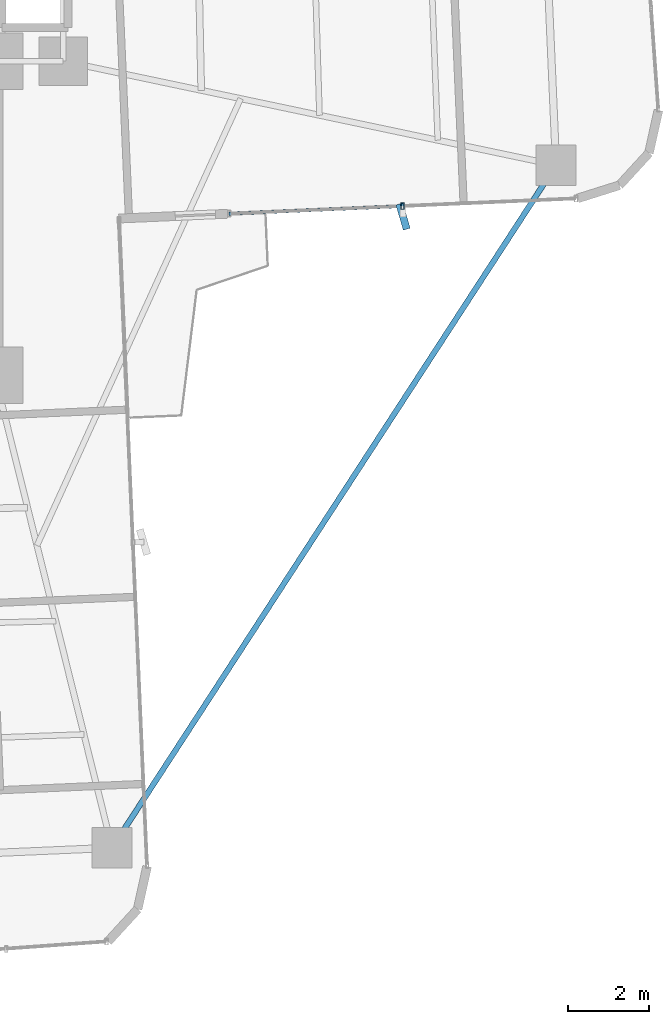
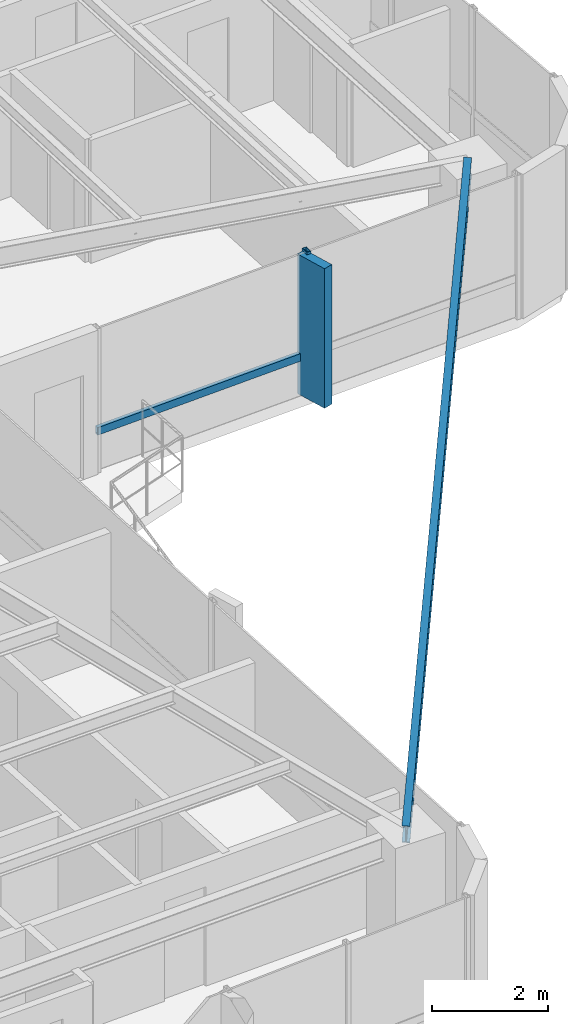
# One storey, part 14 of 27: 3 members, 1 beam, 1 element without a shape of its own.
"""IFC4 building model written with IfcOpenShell, lengths in metres."""

from ifc_helpers import new_model, si_unit, direction, frame, origin, origin_2d, place, context, subcontext, project, spatial, rectangle, hollow_rectangle, i_section, extrude, source, transform, mapped, material, material_profile, profile_set, type_object, element, aggregate, save


model = new_model("IFC4")

# Units and contexts
model_context = context("Model", 3, precision=1e-05, world=origin(), true_north=direction((0.0, 1.0)))
body_context = subcontext(model_context, "Body", "Model", "MODEL_VIEW")
ifc_project = project(units=[si_unit("LENGTHUNIT", "METRE"), si_unit("AREAUNIT", "SQUARE_METRE"), si_unit("VOLUMEUNIT", "CUBIC_METRE"), si_unit("PLANEANGLEUNIT", "RADIAN"), si_unit("MASSUNIT", "GRAM", prefix="KILO")], contexts=[model_context])

# Site, building, storey
site_placement = place(None, origin())
site = spatial("IfcSite", under=ifc_project, at=site_placement, CompositionType="ELEMENT")
building_placement = place(site_placement, origin())
building = spatial("IfcBuilding", under=site, at=building_placement, Name="Sahyath Konkavel Grand Hotel", CompositionType="ELEMENT")
storey_placement = place(building_placement, frame((0.0, 0.0, 103.60009765625)))
storey = spatial("IfcBuildingStorey", under=building, at=storey_placement, Name="L28", CompositionType="ELEMENT", Elevation=103.60009765625)

# Beam
ifc_material_1 = material(Name="Steel E350", Category="steel")
ifc_material_profile_1 = material_profile(ifc_material_1, i_section(OverallWidth=0.139892578125, OverallDepth=0.35009765625, WebThickness=0.008056640625, FlangeThickness=0.01416015625, FilletRadius=0.013916015625, at=origin_2d()), Name="ISMB 350")
ifc_profile_set_1 = profile_set([ifc_material_profile_1], Name="Steel E350")
beam_type = type_object("IfcBeamType", Name="BM-ISMB350", PredefinedType="BEAM", material=ifc_profile_set_1)
shared_shape_1 = source(origin(), body_context, "Body", "SweptSolid", [
    extrude(i_section(OverallWidth=0.139892578125, OverallDepth=0.35009765625, WebThickness=0.008056640625, FlangeThickness=0.01416015625, FilletRadius=0.013916015625, at=origin_2d()), origin(), (0.0, 0.0, 1.0), 20.21533203125),
])
beam_placement = place(storey_placement, frame((17.734130859375, -4.981201171875, 2.875), z_axis=(-0.545191244931, -0.838311700056, 0.0), x_axis=(0.838311700056, -0.545191244931, 0.0)))
element("IfcBeam", 1, at=beam_placement, inside=storey, type_object=beam_type, Name="L28 Re-Entrant Tie Beam SE", PredefinedType="BEAM", context=body_context, shape_type="MappedRepresentation", body=[
    mapped(shared_shape_1, transform((0.0, 0.0, 0.0), scale=1.0)),
])

# Curtain wall, members
ifc_material_2 = material(Name="Anodised Bronze Aluminium & Low-E Glazing", Category="aluminium")
curtain_wall_type = type_object("IfcCurtainWallType", Name="CW-ZONE2", PredefinedType="NOTDEFINED", material=ifc_material_2)
curtain_wall_placement = place(storey_placement, origin())
curtain_wall = element("IfcCurtainWall", 2, at=curtain_wall_placement, inside=storey, type_object=curtain_wall_type, Name="L28 Unitised Curtain Wall F0", PredefinedType="NOTDEFINED")
ifc_material_3 = material(Name="Anodised Bronze Aluminium", Category="aluminium")
ifc_material_profile_2 = material_profile(ifc_material_3, hollow_rectangle(XDim=0.080078125, YDim=0.159912109375, WallThickness=0.006103515625, at=origin_2d()), Name="RHS 160x80x6")
ifc_profile_set_2 = profile_set([ifc_material_profile_2], Name="Anodised Bronze Aluminium")
member_type_1 = type_object("IfcMemberType", Name="CW-TRN-160", PredefinedType="USERDEFINED", material=ifc_profile_set_2)
shared_shape_2 = source(origin(), body_context, "Body", "SweptSolid", [
    extrude(hollow_rectangle(XDim=0.080078125, YDim=0.159912109375, WallThickness=0.006103515625, at=origin_2d()), origin(), (0.0, 0.0, 1.0), 4.31005859375),
])
member_1_placement = place(storey_placement, frame((9.618896484375, -6.186279296875, 0.849853515625), z_axis=(0.999048340188, 0.043616670746, 0.0), x_axis=(-0.043616670746, 0.999048340188, 0.0)))
member_1 = element("IfcMember", 3, at=member_1_placement, type_object=member_type_1, Name="L28 Curtain Wall Transom F0-0-spandrel", ObjectType="TRANSOM", PredefinedType="USERDEFINED", context=body_context, shape_type="MappedRepresentation", body=[
    mapped(shared_shape_2, transform((0.0, 0.0, 0.0), scale=1.0)),
])
ifc_material_profile_3 = material_profile(ifc_material_3, hollow_rectangle(XDim=0.080078125, YDim=0.159912109375, WallThickness=0.006103515625, at=origin_2d()), Name="RHS 160x80x6")
ifc_profile_set_3 = profile_set([ifc_material_profile_3], Name="Anodised Bronze Aluminium")
member_type_2 = type_object("IfcMemberType", Name="CW-MUL-160", PredefinedType="MULLION", material=ifc_profile_set_3)
shared_shape_3 = source(origin(), body_context, "Body", "SweptSolid", [
    extrude(hollow_rectangle(XDim=0.080078125, YDim=0.159912109375, WallThickness=0.006103515625, at=origin_2d()), origin(), (0.0, 0.0, 1.0), 3.0498046875),
])
member_2_placement = place(storey_placement, frame((13.9248046875, -5.998291015625, 0.0), z_axis=(0.0, 0.0, 1.0), x_axis=(1.0, 0.0, 0.0)))
member_2 = element("IfcMember", 4, at=member_2_placement, type_object=member_type_2, Name="L28 Curtain Wall Mullion F0-1", PredefinedType="MULLION", context=body_context, shape_type="MappedRepresentation", body=[
    mapped(shared_shape_3, transform((0.0, 0.0, 0.0), scale=1.0)),
])
ifc_material_4 = material(Name="Warm Buff Sandstone Cladding on Concrete C50/60", Category="masonry")
ifc_material_profile_4 = material_profile(ifc_material_4, rectangle(XDim=0.179931640625, YDim=0.64990234375, at=origin_2d()), Name="FIN 180x650")
ifc_profile_set_4 = profile_set([ifc_material_profile_4], Name="Warm Buff Sandstone Cladding on Concrete C50/60")
member_type_3 = type_object("IfcMemberType", Name="FIN-SANDSTONE-650", PredefinedType="MULLION", material=ifc_profile_set_4)
shared_shape_4 = source(origin(), body_context, "Body", "SweptSolid", [
    extrude(rectangle(XDim=0.179931640625, YDim=0.64990234375, at=origin_2d()), origin(), (0.0, 0.0, 1.0), 2.9501953125),
])
member_3_placement = place(storey_placement, frame((13.936279296875, -6.258056640625, 0.0498046875), z_axis=(0.0, 0.0, 1.0), x_axis=(0.959264682049, 0.282508884416, 0.0)))
member_3 = element("IfcMember", 5, at=member_3_placement, type_object=member_type_3, Name="L28 Sandstone Vertical Solar Fin FIN F0-1", PredefinedType="MULLION", context=body_context, shape_type="MappedRepresentation", body=[
    mapped(shared_shape_4, transform((0.0, 0.0, 0.0), scale=1.0)),
])
aggregate(curtain_wall, [member_2, member_3, member_1])

save(model, "model.ifc")
